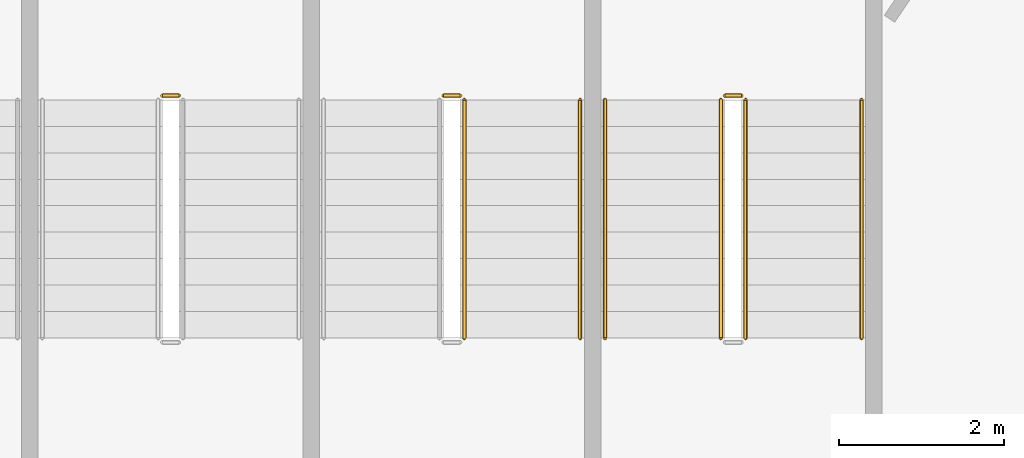
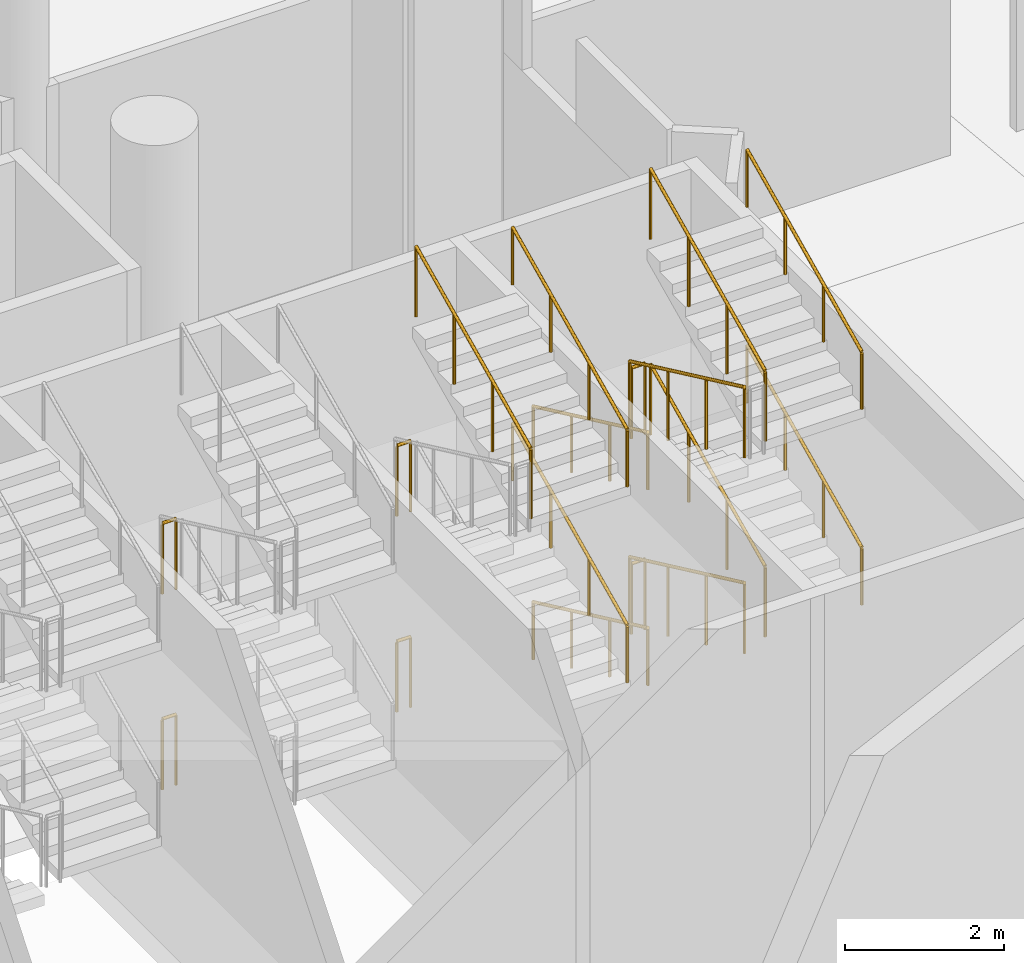
# One storey, part 207 of 249: 17 railings.
"""IFC4 building model written with IfcOpenShell, lengths in metres."""

from ifc_helpers import new_model, si_unit, direction, frame, origin, origin_2d, place, context, subcontext, project, spatial, circle, extrude, material, type_object, element, save


model = new_model("IFC4")

# Units and contexts
model_context = context("Model", 3, precision=1e-05, world=origin(), true_north=direction((0.0, 1.0)))
body_context = subcontext(model_context, "Body", "Model", "MODEL_VIEW")
ifc_project = project(units=[si_unit("LENGTHUNIT", "METRE"), si_unit("AREAUNIT", "SQUARE_METRE"), si_unit("VOLUMEUNIT", "CUBIC_METRE"), si_unit("PLANEANGLEUNIT", "RADIAN"), si_unit("MASSUNIT", "GRAM", prefix="KILO")], contexts=[model_context])

# Site, building, storey
site_placement = place(None, origin())
site = spatial("IfcSite", under=ifc_project, at=site_placement, CompositionType="ELEMENT")
building_placement = place(site_placement, origin())
building = spatial("IfcBuilding", under=site, at=building_placement, Name="Meseta Stadium", CompositionType="ELEMENT")
storey_placement = place(building_placement, frame((0.0, 0.0, 12.0)))
storey = spatial("IfcBuildingStorey", under=building, at=storey_placement, Name="L02", CompositionType="ELEMENT", Elevation=12.0)

# Railings
ifc_material_1 = material(Name="Steel S355", Category="steel")
railing_type_1 = type_object("IfcRailingType", Name="Stair guard 1100", PredefinedType="GUARDRAIL", material=ifc_material_1)
for number, where, name in (
    (1, (-9.466552734375, -94.85009765625, 3.0), "ST94 L02 guard 4"),
    (2, (-9.466552734375, -94.85009765625, 0.0), "ST94 L02 guard 8"),
    (3, (-6.066650390625, -94.85009765625, 3.0), "ST95 L02 guard 4"),
):
    element("IfcRailing", number, at=place(storey_placement, frame(where)), inside=storey, type_object=railing_type_1, Name=name, PredefinedType="GUARDRAIL", context=body_context, shape_type="SweptSolid", body=[
        extrude(circle(Radius=0.02392578125, at=origin_2d()), frame((0.0, 0.0, 1.076171875), z_axis=(1.0, 0.0, 0.0), x_axis=(0.0, 1.0, 0.0)), (0.0, 0.0, 1.0), 0.199951171875),
        extrude(circle(Radius=0.02099609375, at=origin_2d()), origin(), (0.0, 0.0, 1.0), 1.052001953125),
        extrude(circle(Radius=0.02099609375, at=origin_2d()), frame((0.199951171875, 0.0, 0.0)), (0.0, 0.0, 1.0), 1.052001953125),
    ])
railing_1_placement = place(storey_placement, frame((-5.816650390625, -97.780029296875, 4.64990234375)))
element("IfcRailing", 4, at=railing_1_placement, inside=storey, type_object=railing_type_1, Name="ST95 L02 guard 7", PredefinedType="GUARDRAIL", context=body_context, shape_type="SweptSolid", body=[
    extrude(circle(Radius=0.02392578125, at=origin_2d()), frame((0.0, 0.0, 1.076171875), z_axis=(0.0, 0.905454327043, 0.424443708447), x_axis=(-1.0, 0.0, 0.0)), (0.0, 0.0, 1.0), 3.180908203125),
    extrude(circle(Radius=0.02099609375, at=origin_2d()), origin(), (0.0, 0.0, 1.0), 1.052001953125),
    extrude(circle(Radius=0.02099609375, at=origin_2d()), frame((0.0, 0.9599609375, 0.449951171875)), (0.0, 0.0, 1.0), 1.052001953125),
    extrude(circle(Radius=0.02099609375, at=origin_2d()), frame((0.0, 1.920166015625, 0.900146484375)), (0.0, 0.0, 1.0), 1.052001953125),
    extrude(circle(Radius=0.02099609375, at=origin_2d()), frame((0.0, 2.880126953125, 1.35009765625)), (0.0, 0.0, 1.0), 1.052001953125),
])
railing_2_placement = place(storey_placement, frame((-6.066650390625, -94.85009765625, 0.0)))
element("IfcRailing", 5, at=railing_2_placement, inside=storey, type_object=railing_type_1, Name="ST95 L02 guard 8", PredefinedType="GUARDRAIL", context=body_context, shape_type="SweptSolid", body=[
    extrude(circle(Radius=0.02392578125, at=origin_2d()), frame((0.0, 0.0, 1.076171875), z_axis=(1.0, 0.0, 0.0), x_axis=(0.0, 1.0, 0.0)), (0.0, 0.0, 1.0), 0.199951171875),
    extrude(circle(Radius=0.02099609375, at=origin_2d()), origin(), (0.0, 0.0, 1.0), 1.052001953125),
    extrude(circle(Radius=0.02099609375, at=origin_2d()), frame((0.199951171875, 0.0, 0.0)), (0.0, 0.0, 1.0), 1.052001953125),
])
railing_3_placement = place(storey_placement, frame((-2.716552734375, -94.89990234375, 0.14990234375)))
element("IfcRailing", 6, at=railing_3_placement, inside=storey, type_object=railing_type_1, Name="ST96 L02 guard 1", PredefinedType="GUARDRAIL", context=body_context, shape_type="SweptSolid", body=[
    extrude(circle(Radius=0.02392578125, at=origin_2d()), frame((0.0, 0.0, 1.076171875), z_axis=(0.0, -0.905454327043, 0.424443708447), x_axis=(1.0, 0.0, 0.0)), (0.0, 0.0, 1.0), 3.180908203125),
    extrude(circle(Radius=0.02099609375, at=origin_2d()), origin(), (0.0, 0.0, 1.0), 1.052001953125),
    extrude(circle(Radius=0.02099609375, at=origin_2d()), frame((0.0, -0.9599609375, 0.449951171875)), (0.0, 0.0, 1.0), 1.052001953125),
    extrude(circle(Radius=0.02099609375, at=origin_2d()), frame((0.0, -1.920166015625, 0.900146484375)), (0.0, 0.0, 1.0), 1.052001953125),
    extrude(circle(Radius=0.02099609375, at=origin_2d()), frame((0.0, -2.880126953125, 1.35009765625)), (0.0, 0.0, 1.0), 1.052001953125),
])
railing_4_placement = place(storey_placement, frame((-2.416748046875, -97.780029296875, 1.64990234375)))
element("IfcRailing", 7, at=railing_4_placement, inside=storey, type_object=railing_type_1, Name="ST96 L02 guard 3", PredefinedType="GUARDRAIL", context=body_context, shape_type="SweptSolid", body=[
    extrude(circle(Radius=0.02392578125, at=origin_2d()), frame((0.0, 0.0, 1.076171875), z_axis=(0.0, 0.905454327043, 0.424443708447), x_axis=(-1.0, 0.0, 0.0)), (0.0, 0.0, 1.0), 3.180908203125),
    extrude(circle(Radius=0.02099609375, at=origin_2d()), origin(), (0.0, 0.0, 1.0), 1.052001953125),
    extrude(circle(Radius=0.02099609375, at=origin_2d()), frame((0.0, 0.9599609375, 0.449951171875)), (0.0, 0.0, 1.0), 1.052001953125),
    extrude(circle(Radius=0.02099609375, at=origin_2d()), frame((0.0, 1.920166015625, 0.900146484375)), (0.0, 0.0, 1.0), 1.052001953125),
    extrude(circle(Radius=0.02099609375, at=origin_2d()), frame((0.0, 2.880126953125, 1.35009765625)), (0.0, 0.0, 1.0), 1.052001953125),
])
railing_5_placement = place(storey_placement, frame((-2.666748046875, -94.85009765625, 3.0)))
element("IfcRailing", 8, at=railing_5_placement, inside=storey, type_object=railing_type_1, Name="ST96 L02 guard 4", PredefinedType="GUARDRAIL", context=body_context, shape_type="SweptSolid", body=[
    extrude(circle(Radius=0.02392578125, at=origin_2d()), frame((0.0, 0.0, 1.076171875), z_axis=(1.0, 0.0, 0.0), x_axis=(0.0, 1.0, 0.0)), (0.0, 0.0, 1.0), 0.2001953125),
    extrude(circle(Radius=0.02099609375, at=origin_2d()), origin(), (0.0, 0.0, 1.0), 1.052001953125),
    extrude(circle(Radius=0.02099609375, at=origin_2d()), frame((0.2001953125, 0.0, 0.0)), (0.0, 0.0, 1.0), 1.052001953125),
])
railing_6_placement = place(storey_placement, frame((-2.716552734375, -94.89990234375, 3.14990234375)))
element("IfcRailing", 9, at=railing_6_placement, inside=storey, type_object=railing_type_1, Name="ST96 L02 guard 5", PredefinedType="GUARDRAIL", context=body_context, shape_type="SweptSolid", body=[
    extrude(circle(Radius=0.02392578125, at=origin_2d()), frame((0.0, 0.0, 1.076171875), z_axis=(0.0, -0.905454327043, 0.424443708447), x_axis=(1.0, 0.0, 0.0)), (0.0, 0.0, 1.0), 3.180908203125),
    extrude(circle(Radius=0.02099609375, at=origin_2d()), origin(), (0.0, 0.0, 1.0), 1.052001953125),
    extrude(circle(Radius=0.02099609375, at=origin_2d()), frame((0.0, -0.9599609375, 0.449951171875)), (0.0, 0.0, 1.0), 1.052001953125),
    extrude(circle(Radius=0.02099609375, at=origin_2d()), frame((0.0, -1.920166015625, 0.900146484375)), (0.0, 0.0, 1.0), 1.052001953125),
    extrude(circle(Radius=0.02099609375, at=origin_2d()), frame((0.0, -2.880126953125, 1.35009765625)), (0.0, 0.0, 1.0), 1.052001953125),
])
railing_7_placement = place(storey_placement, frame((-2.416748046875, -97.780029296875, 4.64990234375)))
element("IfcRailing", 10, at=railing_7_placement, inside=storey, type_object=railing_type_1, Name="ST96 L02 guard 7", PredefinedType="GUARDRAIL", context=body_context, shape_type="SweptSolid", body=[
    extrude(circle(Radius=0.02392578125, at=origin_2d()), frame((0.0, 0.0, 1.076171875), z_axis=(0.0, 0.905454327043, 0.424443708447), x_axis=(-1.0, 0.0, 0.0)), (0.0, 0.0, 1.0), 3.180908203125),
    extrude(circle(Radius=0.02099609375, at=origin_2d()), origin(), (0.0, 0.0, 1.0), 1.052001953125),
    extrude(circle(Radius=0.02099609375, at=origin_2d()), frame((0.0, 0.9599609375, 0.449951171875)), (0.0, 0.0, 1.0), 1.052001953125),
    extrude(circle(Radius=0.02099609375, at=origin_2d()), frame((0.0, 1.920166015625, 0.900146484375)), (0.0, 0.0, 1.0), 1.052001953125),
    extrude(circle(Radius=0.02099609375, at=origin_2d()), frame((0.0, 2.880126953125, 1.35009765625)), (0.0, 0.0, 1.0), 1.052001953125),
])
railing_8_placement = place(storey_placement, frame((-2.666748046875, -94.85009765625, 0.0)))
element("IfcRailing", 11, at=railing_8_placement, inside=storey, type_object=railing_type_1, Name="ST96 L02 guard 8", PredefinedType="GUARDRAIL", context=body_context, shape_type="SweptSolid", body=[
    extrude(circle(Radius=0.02392578125, at=origin_2d()), frame((0.0, 0.0, 1.076171875), z_axis=(1.0, 0.0, 0.0), x_axis=(0.0, 1.0, 0.0)), (0.0, 0.0, 1.0), 0.2001953125),
    extrude(circle(Radius=0.02099609375, at=origin_2d()), origin(), (0.0, 0.0, 1.0), 1.052001953125),
    extrude(circle(Radius=0.02099609375, at=origin_2d()), frame((0.2001953125, 0.0, 0.0)), (0.0, 0.0, 1.0), 1.052001953125),
])
ifc_material_2 = material(Name="Steel S355", Category="steel")
railing_type_2 = type_object("IfcRailingType", Name="Stair handrail 900", PredefinedType="HANDRAIL", material=ifc_material_2)
for number, where, name in (
    (12, (-4.416748046875, -97.780029296875, 1.64990234375), "ST95 L02 handrail 2"),
    (13, (-4.416748046875, -97.780029296875, 4.64990234375), "ST95 L02 handrail 4"),
):
    element("IfcRailing", number, at=place(storey_placement, frame(where)), inside=storey, type_object=railing_type_2, Name=name, PredefinedType="HANDRAIL", context=body_context, shape_type="SweptSolid", body=[
        extrude(circle(Radius=0.02392578125, at=origin_2d()), frame((0.0, 0.0, 0.8759765625), z_axis=(0.0, 0.905454327043, 0.424443708447), x_axis=(-1.0, 0.0, 0.0)), (0.0, 0.0, 1.0), 3.180908203125),
        extrude(circle(Radius=0.02099609375, at=origin_2d()), origin(), (0.0, 0.0, 1.0), 0.851806640625),
        extrude(circle(Radius=0.02099609375, at=origin_2d()), frame((0.0, 0.9599609375, 0.449951171875)), (0.0, 0.0, 1.0), 0.851806640625),
        extrude(circle(Radius=0.02099609375, at=origin_2d()), frame((0.0, 1.920166015625, 0.900146484375)), (0.0, 0.0, 1.0), 0.851806640625),
        extrude(circle(Radius=0.02099609375, at=origin_2d()), frame((0.0, 2.880126953125, 1.35009765625)), (0.0, 0.0, 1.0), 0.851806640625),
    ])
railing_9_placement = place(storey_placement, frame((-4.11669921875, -94.89990234375, 0.14990234375)))
element("IfcRailing", 14, at=railing_9_placement, inside=storey, type_object=railing_type_2, Name="ST96 L02 handrail 1", PredefinedType="HANDRAIL", context=body_context, shape_type="SweptSolid", body=[
    extrude(circle(Radius=0.02392578125, at=origin_2d()), frame((0.0, 0.0, 0.8759765625), z_axis=(0.0, -0.905454327043, 0.424443708447), x_axis=(1.0, 0.0, 0.0)), (0.0, 0.0, 1.0), 3.180908203125),
    extrude(circle(Radius=0.02099609375, at=origin_2d()), origin(), (0.0, 0.0, 1.0), 0.851806640625),
    extrude(circle(Radius=0.02099609375, at=origin_2d()), frame((0.0, -0.9599609375, 0.449951171875)), (0.0, 0.0, 1.0), 0.851806640625),
    extrude(circle(Radius=0.02099609375, at=origin_2d()), frame((0.0, -1.920166015625, 0.900146484375)), (0.0, 0.0, 1.0), 0.851806640625),
    extrude(circle(Radius=0.02099609375, at=origin_2d()), frame((0.0, -2.880126953125, 1.35009765625)), (0.0, 0.0, 1.0), 0.851806640625),
])
railing_10_placement = place(storey_placement, frame((-1.0166015625, -97.780029296875, 1.64990234375)))
element("IfcRailing", 15, at=railing_10_placement, inside=storey, type_object=railing_type_2, Name="ST96 L02 handrail 2", PredefinedType="HANDRAIL", context=body_context, shape_type="SweptSolid", body=[
    extrude(circle(Radius=0.02392578125, at=origin_2d()), frame((0.0, 0.0, 0.8759765625), z_axis=(0.0, 0.905454327043, 0.424443708447), x_axis=(-1.0, 0.0, 0.0)), (0.0, 0.0, 1.0), 3.180908203125),
    extrude(circle(Radius=0.02099609375, at=origin_2d()), origin(), (0.0, 0.0, 1.0), 0.851806640625),
    extrude(circle(Radius=0.02099609375, at=origin_2d()), frame((0.0, 0.9599609375, 0.449951171875)), (0.0, 0.0, 1.0), 0.851806640625),
    extrude(circle(Radius=0.02099609375, at=origin_2d()), frame((0.0, 1.920166015625, 0.900146484375)), (0.0, 0.0, 1.0), 0.851806640625),
    extrude(circle(Radius=0.02099609375, at=origin_2d()), frame((0.0, 2.880126953125, 1.35009765625)), (0.0, 0.0, 1.0), 0.851806640625),
])
railing_11_placement = place(storey_placement, frame((-4.11669921875, -94.89990234375, 3.14990234375)))
element("IfcRailing", 16, at=railing_11_placement, inside=storey, type_object=railing_type_2, Name="ST96 L02 handrail 3", PredefinedType="HANDRAIL", context=body_context, shape_type="SweptSolid", body=[
    extrude(circle(Radius=0.02392578125, at=origin_2d()), frame((0.0, 0.0, 0.8759765625), z_axis=(0.0, -0.905454327043, 0.424443708447), x_axis=(1.0, 0.0, 0.0)), (0.0, 0.0, 1.0), 3.180908203125),
    extrude(circle(Radius=0.02099609375, at=origin_2d()), origin(), (0.0, 0.0, 1.0), 0.851806640625),
    extrude(circle(Radius=0.02099609375, at=origin_2d()), frame((0.0, -0.9599609375, 0.449951171875)), (0.0, 0.0, 1.0), 0.851806640625),
    extrude(circle(Radius=0.02099609375, at=origin_2d()), frame((0.0, -1.920166015625, 0.900146484375)), (0.0, 0.0, 1.0), 0.851806640625),
    extrude(circle(Radius=0.02099609375, at=origin_2d()), frame((0.0, -2.880126953125, 1.35009765625)), (0.0, 0.0, 1.0), 0.851806640625),
])
railing_12_placement = place(storey_placement, frame((-1.0166015625, -97.780029296875, 4.64990234375)))
element("IfcRailing", 17, at=railing_12_placement, inside=storey, type_object=railing_type_2, Name="ST96 L02 handrail 4", PredefinedType="HANDRAIL", context=body_context, shape_type="SweptSolid", body=[
    extrude(circle(Radius=0.02392578125, at=origin_2d()), frame((0.0, 0.0, 0.8759765625), z_axis=(0.0, 0.905454327043, 0.424443708447), x_axis=(-1.0, 0.0, 0.0)), (0.0, 0.0, 1.0), 3.180908203125),
    extrude(circle(Radius=0.02099609375, at=origin_2d()), origin(), (0.0, 0.0, 1.0), 0.851806640625),
    extrude(circle(Radius=0.02099609375, at=origin_2d()), frame((0.0, 0.9599609375, 0.449951171875)), (0.0, 0.0, 1.0), 0.851806640625),
    extrude(circle(Radius=0.02099609375, at=origin_2d()), frame((0.0, 1.920166015625, 0.900146484375)), (0.0, 0.0, 1.0), 0.851806640625),
    extrude(circle(Radius=0.02099609375, at=origin_2d()), frame((0.0, 2.880126953125, 1.35009765625)), (0.0, 0.0, 1.0), 0.851806640625),
])

save(model, "model.ifc")
